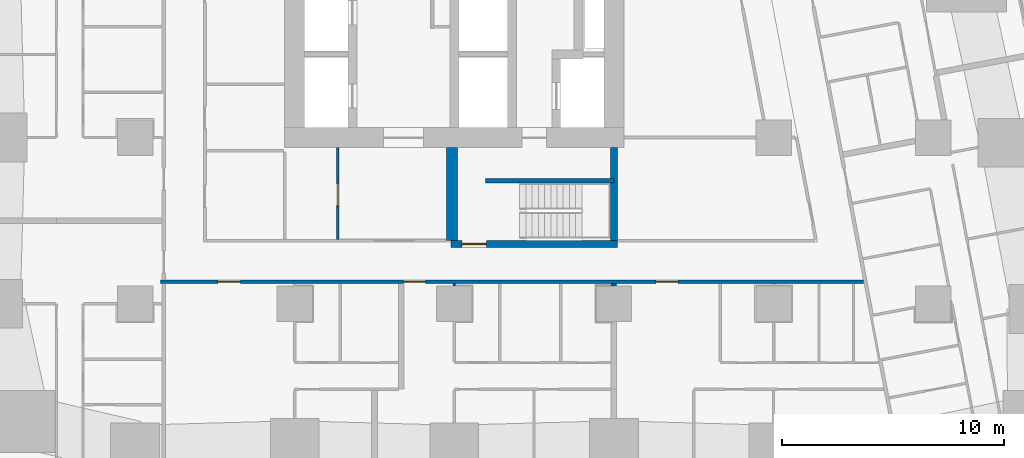
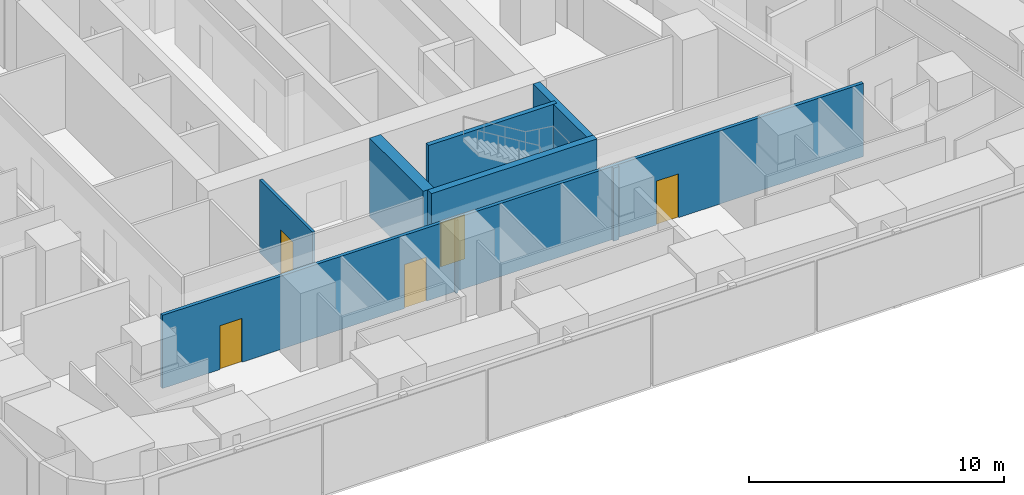
# One storey, part 4 of 17: 8 walls, 5 doors, 5 openings.
"""IFC4 building model written with IfcOpenShell, lengths in metres."""

from ifc_helpers import new_model, si_unit, direction, frame, frame_2d, origin, place, context, subcontext, project, spatial, rectangle, extrude, material, layer, layer_set, type_object, element, fill, save


model = new_model("IFC4")

# Units and contexts
model_context = context("Model", 3, precision=1e-05, world=origin(), true_north=direction((0.0, 1.0)))
body_context = subcontext(model_context, "Body", "Model", "MODEL_VIEW")
ifc_project = project(units=[si_unit("LENGTHUNIT", "METRE"), si_unit("AREAUNIT", "SQUARE_METRE"), si_unit("VOLUMEUNIT", "CUBIC_METRE"), si_unit("PLANEANGLEUNIT", "RADIAN"), si_unit("MASSUNIT", "GRAM", prefix="KILO")], contexts=[model_context])

# Site, building, storey
site_placement = place(None, origin())
site = spatial("IfcSite", under=ifc_project, at=site_placement, CompositionType="ELEMENT")
building_placement = place(site_placement, origin())
building = spatial("IfcBuilding", under=site, at=building_placement, Name="Sheger Commons Tower", CompositionType="ELEMENT")
storey_placement = place(building_placement, frame((0.0, 0.0, 111.64990234375)))
storey = spatial("IfcBuildingStorey", under=building, at=storey_placement, Name="L28", CompositionType="ELEMENT", Elevation=111.64990234375)

# Wall, openings, doors
ifc_material_1 = material(Name="Hollow concrete block masonry, skimmed both sides", Category="masonry")
ifc_layer_1 = layer(ifc_material_1, 0.14990234375)
ifc_layer_set_1 = layer_set([ifc_layer_1], Name="CORRIDOR WALL 150")
wall_type_1 = type_object("IfcWallType", Name="CORRIDOR WALL 150", PredefinedType="SOLIDWALL", material=ifc_layer_set_1)
wall_1_placement = place(storey_placement, frame((40.052978515625, 8.5, 0.0), z_axis=(0.0, 0.0, 1.0), x_axis=(-1.0, 0.0, 0.0)))
wall_1 = element("IfcWall", 1, at=wall_1_placement, inside=storey, type_object=wall_type_1, Name="Corridor wall L28", PredefinedType="SOLIDWALL", context=body_context, shape_type="SweptSolid", body=[
    extrude(rectangle(XDim=31.702880859375, YDim=0.14990234375, at=frame_2d((15.8515625, 0.0))), origin(), (0.0, 0.0, 1.0), 3.5),
])
opening_1_placement = place(wall_1_placement, frame((28.10302734375, 0.0, 0.0)))
opening_1 = element("IfcOpeningElement", 2, at=opening_1_placement, cuts=wall_1, Name="Opening D1", PredefinedType="OPENING", context=body_context, shape_type="SweptSolid", body=[
    extrude(rectangle(XDim=1.0, YDim=2.10009765625, at=frame_2d((0.5, 1.050048828125))), frame((0.0, 0.0849609375, 0.0), z_axis=(0.0, -1.0, 0.0), x_axis=(1.0, 0.0, 0.0)), (0.0, 0.0, 1.0), 0.169921875),
])
opening_2_placement = place(wall_1_placement, frame((19.75390625, 0.0, 0.0)))
opening_2 = element("IfcOpeningElement", 3, at=opening_2_placement, cuts=wall_1, Name="Opening D1", PredefinedType="OPENING", context=body_context, shape_type="SweptSolid", body=[
    extrude(rectangle(XDim=1.0, YDim=2.10009765625, at=frame_2d((0.5, 1.050048828125))), frame((0.0, 0.0849609375, 0.0), z_axis=(0.0, -1.0, 0.0), x_axis=(1.0, 0.0, 0.0)), (0.0, 0.0, 1.0), 0.169921875),
])
opening_3_placement = place(wall_1_placement, frame((8.35302734375, 0.0, 0.0)))
opening_3 = element("IfcOpeningElement", 4, at=opening_3_placement, cuts=wall_1, Name="Opening D1", PredefinedType="OPENING", context=body_context, shape_type="SweptSolid", body=[
    extrude(rectangle(XDim=1.0, YDim=2.10009765625, at=frame_2d((0.5, 1.050048828125))), frame((0.0, 0.0849609375, 0.0), z_axis=(0.0, -1.0, 0.0), x_axis=(1.0, 0.0, 0.0)), (0.0, 0.0, 1.0), 0.169921875),
])
ifc_material_2 = material(Name="Steel door set, fire rated", Category="steel")
door_type_1 = type_object("IfcDoorType", Name="FLAT ENTRANCE DOOR 1000x2100", OperationType="NOTDEFINED", PredefinedType="DOOR", material=ifc_material_2)
door_1_placement = place(opening_1_placement, origin())
door_1 = element("IfcDoor", 5, at=door_1_placement, inside=storey, type_object=door_type_1, Name="Flat entrance door", OperationType="SINGLE_SWING_RIGHT", OverallHeight=2.10009765625, OverallWidth=1.0, PredefinedType="DOOR", context=body_context, shape_type="SweptSolid", body=[
    extrude(rectangle(XDim=1.0, YDim=2.10009765625, at=frame_2d((0.5, 1.050048828125))), frame((0.0, 0.02490234375, 0.0), z_axis=(0.0, -1.0, 0.0), x_axis=(1.0, 0.0, 0.0)), (0.0, 0.0, 1.0), 0.050048828125),
])
fill(opening_1, door_1)
door_2_placement = place(opening_2_placement, origin())
door_2 = element("IfcDoor", 6, at=door_2_placement, inside=storey, type_object=door_type_1, Name="Flat entrance door", OperationType="SINGLE_SWING_RIGHT", OverallHeight=2.10009765625, OverallWidth=1.0, PredefinedType="DOOR", context=body_context, shape_type="SweptSolid", body=[
    extrude(rectangle(XDim=1.0, YDim=2.10009765625, at=frame_2d((0.5, 1.050048828125))), frame((0.0, 0.02490234375, 0.0), z_axis=(0.0, -1.0, 0.0), x_axis=(1.0, 0.0, 0.0)), (0.0, 0.0, 1.0), 0.050048828125),
])
fill(opening_2, door_2)
door_3_placement = place(opening_3_placement, origin())
door_3 = element("IfcDoor", 7, at=door_3_placement, inside=storey, type_object=door_type_1, Name="Flat entrance door", OperationType="SINGLE_SWING_RIGHT", OverallHeight=2.10009765625, OverallWidth=1.0, PredefinedType="DOOR", context=body_context, shape_type="SweptSolid", body=[
    extrude(rectangle(XDim=1.0, YDim=2.10009765625, at=frame_2d((0.5, 1.050048828125))), frame((0.0, 0.02490234375, 0.0), z_axis=(0.0, -1.0, 0.0), x_axis=(1.0, 0.0, 0.0)), (0.0, 0.0, 1.0), 0.050048828125),
])
fill(opening_3, door_3)

# Walls
ifc_material_3 = material(Name="Dense concrete block masonry, plastered both sides (separating wall between flats)", Category="masonry")
ifc_layer_2 = layer(ifc_material_3, 0.25)
ifc_layer_set_2 = layer_set([ifc_layer_2], Name="DEMISING WALL 250")
wall_type_2 = type_object("IfcWallType", Name="DEMISING WALL 250", PredefinedType="SOLIDWALL", material=ifc_layer_set_2)
wall_2_placement = place(storey_placement, frame((28.800048828125, 8.301025390625, 0.0), z_axis=(0.0, 0.0, 1.0), x_axis=(0.0, 1.0, 0.0)))
element("IfcWall", 8, at=wall_2_placement, inside=storey, type_object=wall_type_2, Name="Demising wall L28", PredefinedType="SOLIDWALL", context=body_context, shape_type="SweptSolid", body=[
    extrude(rectangle(XDim=0.1240234375, YDim=0.25, at=frame_2d((0.06201171875, 0.0))), origin(), (0.0, 0.0, 1.0), 3.5),
])
ifc_material_4 = material(Name="Gypsum board on steel studs", Category="steel")
ifc_layer_3 = layer(ifc_material_4, 0.10009765625)
ifc_layer_set_3 = layer_set([ifc_layer_3], Name="PARTITION 100")
wall_type_3 = type_object("IfcWallType", Name="PARTITION 100", PredefinedType="PARTITIONING", material=ifc_layer_set_3)
wall_3_placement = place(storey_placement, frame((21.60009765625, 8.301025390625, 0.0), z_axis=(0.0, 0.0, 1.0), x_axis=(0.0, 1.0, 0.0)))
element("IfcWall", 9, at=wall_3_placement, inside=storey, type_object=wall_type_3, Name="Partition L28", PredefinedType="PARTITIONING", context=body_context, shape_type="SweptSolid", body=[
    extrude(rectangle(XDim=0.1240234375, YDim=0.10009765625, at=frame_2d((0.06201171875, 0.0))), origin(), (0.0, 0.0, 1.0), 3.5),
])

# Wall, opening, door
ifc_material_5 = material(Name="Gypsum board on steel studs, two layers each side, fire rated", Category="steel")
ifc_layer_4 = layer(ifc_material_5, 0.125)
ifc_layer_set_4 = layer_set([ifc_layer_4], Name="SERVICE WALL 125")
wall_type_4 = type_object("IfcWallType", Name="SERVICE WALL 125", PredefinedType="PARTITIONING", material=ifc_layer_set_4)
wall_4_placement = place(storey_placement, frame((16.340087890625, 10.4130859375, 0.0), z_axis=(0.0, 0.0, 1.0), x_axis=(0.0, 1.0, 0.0)))
wall_4 = element("IfcWall", 10, at=wall_4_placement, inside=storey, type_object=wall_type_4, Name="Service room wall L28", PredefinedType="PARTITIONING", context=body_context, shape_type="SweptSolid", body=[
    extrude(rectangle(XDim=4.136962890625, YDim=0.125, at=frame_2d((2.068359375, 0.0))), origin(), (0.0, 0.0, 1.0), 3.5),
])
opening_4_placement = place(wall_4_placement, frame((1.511962890625, 0.0, 0.0)))
opening_4 = element("IfcOpeningElement", 11, at=opening_4_placement, cuts=wall_4, Name="Opening D4", PredefinedType="OPENING", context=body_context, shape_type="SweptSolid", body=[
    extrude(rectangle(XDim=1.0, YDim=2.10009765625, at=frame_2d((0.5, 1.050048828125))), frame((0.0, 0.072509765625, 0.0), z_axis=(0.0, -1.0, 0.0), x_axis=(1.0, 0.0, 0.0)), (0.0, 0.0, 1.0), 0.14501953125),
])
ifc_material_6 = material(Name="Steel door set, fire rated", Category="steel")
door_type_2 = type_object("IfcDoorType", Name="SERVICE DOOR 1000x2100", OperationType="NOTDEFINED", PredefinedType="DOOR", material=ifc_material_6)
door_4_placement = place(opening_4_placement, origin())
door_4 = element("IfcDoor", 12, at=door_4_placement, inside=storey, type_object=door_type_2, Name="Electrical room door", OperationType="SINGLE_SWING_LEFT", OverallHeight=2.10009765625, OverallWidth=1.0, PredefinedType="DOOR", context=body_context, shape_type="SweptSolid", body=[
    extrude(rectangle(XDim=1.0, YDim=2.10009765625, at=frame_2d((0.5, 1.050048828125))), frame((0.0, 0.02490234375, 0.0), z_axis=(0.0, -1.0, 0.0), x_axis=(1.0, 0.0, 0.0)), (0.0, 0.0, 1.0), 0.050048828125),
])
fill(opening_4, door_4)

ifc_material_7 = material(Name="Concrete C50/60", Category="concrete")
ifc_layer_5 = layer(ifc_material_7, 0.300048828125)
ifc_layer_set_5 = layer_set([ifc_layer_5], Name="STAIR CORE WALL 300")
wall_type_5 = type_object("IfcWallType", Name="STAIR CORE WALL 300", PredefinedType="SHEAR", material=ifc_layer_set_5)
wall_5_placement = place(storey_placement, frame((21.449951171875, 10.199951171875, 0.0), z_axis=(0.0, 0.0, 1.0), x_axis=(1.0, 0.0, 0.0)))
wall_5 = element("IfcWall", 13, at=wall_5_placement, inside=storey, type_object=wall_type_5, Name="STW-L28-S1S", PredefinedType="SHEAR", context=body_context, shape_type="SweptSolid", body=[
    extrude(rectangle(XDim=7.5, YDim=0.300048828125, at=frame_2d((3.75, 0.0))), origin(), (0.0, 0.0, 1.0), 3.75),
])
opening_5_placement = place(wall_5_placement, frame((0.5, 0.0, 0.0)))
opening_5 = element("IfcOpeningElement", 14, at=opening_5_placement, cuts=wall_5, Name="Opening D5", PredefinedType="OPENING", context=body_context, shape_type="SweptSolid", body=[
    extrude(rectangle(XDim=1.10009765625, YDim=2.10009765625, at=frame_2d((0.550048828125, 1.050048828125))), frame((0.0, 0.159912109375, 0.0), z_axis=(0.0, -1.0, 0.0), x_axis=(1.0, 0.0, 0.0)), (0.0, 0.0, 1.0), 0.320068359375),
])
ifc_material_8 = material(Name="Steel door set, fire rated", Category="steel")
door_type_3 = type_object("IfcDoorType", Name="STAIR DOOR 1100x2100", OperationType="NOTDEFINED", PredefinedType="DOOR", material=ifc_material_8)
door_5_placement = place(opening_5_placement, origin())
door_5 = element("IfcDoor", 15, at=door_5_placement, inside=storey, type_object=door_type_3, Name="Stair S1 door", OperationType="SINGLE_SWING_LEFT", OverallHeight=2.10009765625, OverallWidth=1.10009765625, PredefinedType="DOOR", context=body_context, shape_type="SweptSolid", body=[
    extrude(rectangle(XDim=1.10009765625, YDim=2.10009765625, at=frame_2d((0.550048828125, 1.050048828125))), frame((0.0, 0.02490234375, 0.0), z_axis=(0.0, -1.0, 0.0), x_axis=(1.0, 0.0, 0.0)), (0.0, 0.0, 1.0), 0.050048828125),
])
fill(opening_5, door_5)

# Walls
wall_6_placement = place(storey_placement, frame((28.800048828125, 10.35009765625, 0.0), z_axis=(0.0, 0.0, 1.0), x_axis=(0.0, 1.0, 0.0)))
element("IfcWall", 16, at=wall_6_placement, inside=storey, type_object=wall_type_5, Name="STW-L28-S1E", PredefinedType="SHEAR", context=body_context, shape_type="SweptSolid", body=[
    extrude(rectangle(XDim=4.199951171875, YDim=0.300048828125, at=frame_2d((2.10009765625, 0.0))), origin(), (0.0, 0.0, 1.0), 3.75),
])
ifc_material_9 = material(Name="Concrete C50/60", Category="concrete")
ifc_layer_6 = layer(ifc_material_9, 0.5)
ifc_layer_set_6 = layer_set([ifc_layer_6], Name="STAIR CORE WALL 500")
wall_type_6 = type_object("IfcWallType", Name="STAIR CORE WALL 500", PredefinedType="SHEAR", material=ifc_layer_set_6)
wall_7_placement = place(storey_placement, frame((21.5, 10.35009765625, 0.0), z_axis=(0.0, 0.0, 1.0), x_axis=(0.0, 1.0, 0.0)))
element("IfcWall", 17, at=wall_7_placement, inside=storey, type_object=wall_type_6, Name="STW-L28-S1W", PredefinedType="SHEAR", context=body_context, shape_type="SweptSolid", body=[
    extrude(rectangle(XDim=4.199951171875, YDim=0.5, at=frame_2d((2.10009765625, 0.0))), origin(), (0.0, 0.0, 1.0), 3.75),
])
ifc_material_10 = material(Name="Concrete C50/60", Category="concrete")
ifc_layer_7 = layer(ifc_material_10, 0.199951171875)
ifc_layer_set_7 = layer_set([ifc_layer_7], Name="STAIR SPINE WALL 200")
wall_type_7 = type_object("IfcWallType", Name="STAIR SPINE WALL 200", PredefinedType="SHEAR", material=ifc_layer_set_7)
wall_8_placement = place(storey_placement, frame((23.0, 13.050048828125, 0.0), z_axis=(0.0, 0.0, 1.0), x_axis=(1.0, 0.0, 0.0)))
element("IfcWall", 18, at=wall_8_placement, inside=storey, type_object=wall_type_7, Name="Stair spine wall L28", PredefinedType="SHEAR", context=body_context, shape_type="SweptSolid", body=[
    extrude(rectangle(XDim=5.800048828125, YDim=0.199951171875, at=frame_2d((2.89990234375, 0.0))), origin(), (0.0, 0.0, 1.0), 3.75),
])

save(model, "model.ifc")
